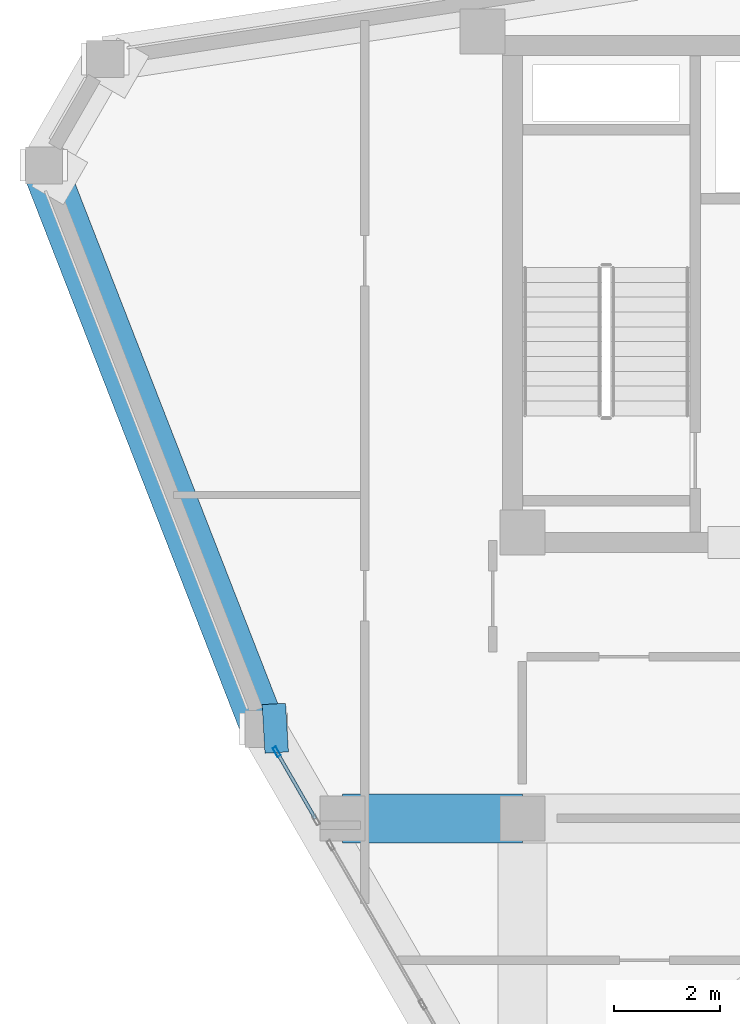
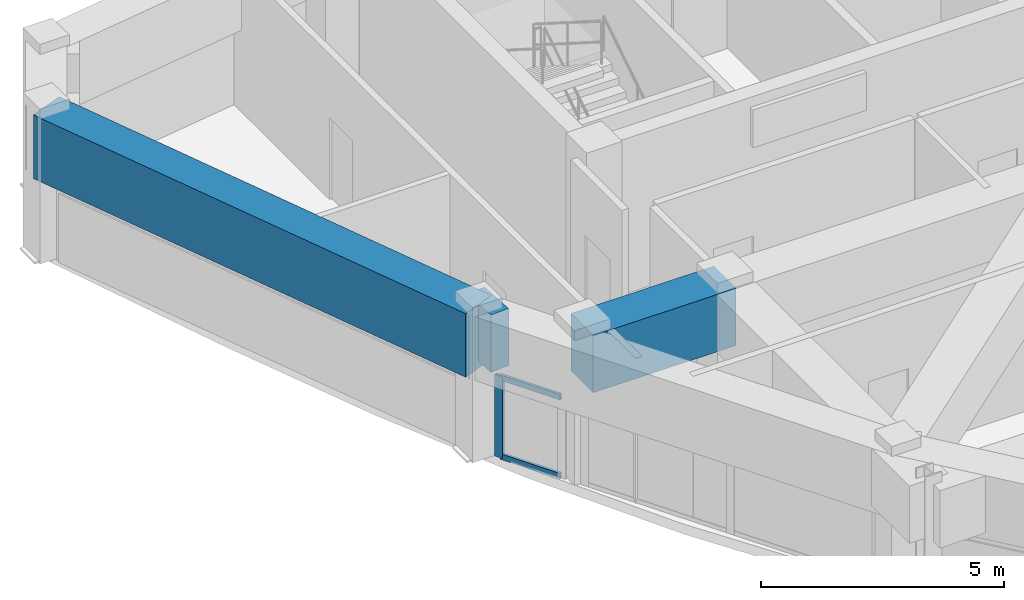
# One storey, part 5 of 13: 3 beams, 3 members, 1 element without a shape of its own.
"""IFC4 building model written with IfcOpenShell, lengths in metres."""

from ifc_helpers import new_model, si_unit, derived_unit, direction, frame, origin, origin_2d, place, context, subcontext, project, spatial, rectangle, hollow_rectangle, extrude, source, transform, mapped, material, layer, layer_set, material_profile, profile_set, type_object, element, aggregate, save


model = new_model("IFC4")

# Units and contexts
model_context = context("Model", 3, precision=1e-05, world=origin(), true_north=direction((0.0, 1.0)))
body_context = subcontext(model_context, "Body", "Model", "MODEL_VIEW")
ifc_project = project(units=[si_unit("LENGTHUNIT", "METRE"), si_unit("AREAUNIT", "SQUARE_METRE"), si_unit("VOLUMEUNIT", "CUBIC_METRE"), si_unit("PLANEANGLEUNIT", "RADIAN"), si_unit("MASSUNIT", "GRAM", prefix="KILO"), derived_unit("THERMALTRANSMITTANCEUNIT", [(si_unit("POWERUNIT", "WATT"), 1), (si_unit("LENGTHUNIT", "METRE"), -2), (si_unit("THERMODYNAMICTEMPERATUREUNIT", "KELVIN"), -1)])], contexts=[model_context])

# Site, building, storey
site_placement = place(None, origin())
site = spatial("IfcSite", under=ifc_project, at=site_placement, CompositionType="ELEMENT")
building_placement = place(site_placement, origin())
building = spatial("IfcBuilding", under=site, at=building_placement, Name="Korsvarv Bourse and Concert Hall", CompositionType="ELEMENT")
storey_placement = place(building_placement, frame((0.0, 0.0, 292.199951171875)))
storey = spatial("IfcBuildingStorey", under=building, at=storey_placement, Name="L76", CompositionType="ELEMENT", Elevation=292.199951171875)

# Beams
ifc_material_1 = material(Name="Concrete C50/60", Category="concrete")
ifc_material_profile_1 = material_profile(ifc_material_1, rectangle(XDim=0.919921875, YDim=1.43994140625, at=origin_2d()), Name="RC-BM 920x1440")
ifc_profile_set_1 = profile_set([ifc_material_profile_1], Name="Concrete C50/60")
beam_type_1 = type_object("IfcBeamType", Name="BM-TR-144", PredefinedType="BEAM", material=ifc_profile_set_1)
shared_shape_1 = source(origin(), body_context, "Body", "SweptSolid", [
    extrude(rectangle(XDim=0.919921875, YDim=1.43994140625, at=origin_2d()), origin(), (0.0, 0.0, 1.0), 3.400146484375),
])
beam_1_placement = place(storey_placement, frame((24.199951171875, 32.39990234375, 2.929931640625), z_axis=(1.0, 0.0, 0.0), x_axis=(0.0, 1.0, 0.0)))
element("IfcBeam", 1, at=beam_1_placement, inside=storey, type_object=beam_type_1, Name="L76 beam B-TR4", PredefinedType="BEAM", context=body_context, shape_type="MappedRepresentation", body=[
    mapped(shared_shape_1, transform((0.0, 0.0, 0.0), scale=1.0)),
])
ifc_material_2 = material(Name="Concrete C55/67", Category="concrete")
ifc_material_profile_2 = material_profile(ifc_material_2, rectangle(XDim=0.85009765625, YDim=1.60009765625, at=origin_2d()), Name="RC-BM 850x1600")
ifc_profile_set_2 = profile_set([ifc_material_profile_2], Name="Concrete C55/67")
beam_type_2 = type_object("IfcBeamType", Name="BM-TR1B", PredefinedType="BEAM", material=ifc_profile_set_2)
shared_shape_2 = source(origin(), body_context, "Body", "SweptSolid", [
    extrude(rectangle(XDim=0.85009765625, YDim=1.60009765625, at=origin_2d()), origin(), (0.0, 0.0, 1.0), 11.417236328125),
])
beam_2_placement = place(storey_placement, frame((18.56689453125, 44.727294921875, 2.85009765625), z_axis=(0.363158178648, -0.931727501623, 0.0), x_axis=(0.931727501623, 0.363158178648, 0.0)))
element("IfcBeam", 2, at=beam_2_placement, inside=storey, type_object=beam_type_2, Name="L76 beam B-TR2", PredefinedType="BEAM", context=body_context, shape_type="MappedRepresentation", body=[
    mapped(shared_shape_2, transform((0.0, 0.0, 0.0), scale=1.0)),
])
shared_shape_3 = source(origin(), body_context, "Body", "SweptSolid", [
    extrude(rectangle(XDim=0.919921875, YDim=1.43994140625, at=origin_2d()), origin(), (0.0, 0.0, 1.0), 0.444091796875),
])
beam_3_placement = place(storey_placement, frame((22.713134765625, 34.089599609375, 2.929931640625), z_axis=(0.998300809683, 0.058270862239, 0.0), x_axis=(-0.058270862239, 0.998300809683, 0.0)))
element("IfcBeam", 3, at=beam_3_placement, inside=storey, type_object=beam_type_1, Name="L76 beam B-TR4", PredefinedType="BEAM", context=body_context, shape_type="MappedRepresentation", body=[
    mapped(shared_shape_3, transform((0.0, 0.0, 0.0), scale=1.0)),
])

# Curtain wall, members
ifc_material_3 = material(Name="Anodised aluminium and triple low-E glazing", Category="glass")
ifc_layer = layer(ifc_material_3, 0.22998046875)
ifc_layer_set = layer_set([ifc_layer], Name="Anodised aluminium and triple low-E glazing")
curtain_wall_type = type_object("IfcCurtainWallType", Name="CW-SYS-6", PredefinedType="NOTDEFINED", material=ifc_layer_set)
curtain_wall_placement = place(storey_placement, origin())
curtain_wall = element("IfcCurtainWall", 4, at=curtain_wall_placement, inside=storey, type_object=curtain_wall_type, Name="L76 CW6 curtain wall CW-L76-CRN07-1", PredefinedType="NOTDEFINED")
ifc_material_4 = material(Name="Extruded aluminium EN AW-6063 T66", Category="aluminium")
ifc_material_profile_3 = material_profile(ifc_material_4, hollow_rectangle(XDim=0.070068359375, YDim=0.18994140625, WallThickness=0.0048828125, at=origin_2d()), Name="ALU-M 70x190")
ifc_profile_set_3 = profile_set([ifc_material_profile_3], Name="Extruded aluminium EN AW-6063 T66")
member_type_1 = type_object("IfcMemberType", Name="CWM-190", PredefinedType="MULLION", material=ifc_profile_set_3)
shared_shape_4 = source(origin(), body_context, "Body", "SweptSolid", [
    extrude(hollow_rectangle(XDim=0.070068359375, YDim=0.18994140625, WallThickness=0.0048828125, at=origin_2d()), origin(), (0.0, 0.0, 1.0), 2.050048828125),
])
member_1_placement = place(storey_placement, frame((22.961669921875, 33.659423828125, 0.0), z_axis=(0.0, 0.0, 1.0), x_axis=(0.866016043039, 0.500016212936, 0.0)))
member_1 = element("IfcMember", 5, at=member_1_placement, type_object=member_type_1, Name="CW6 mullion 1", PredefinedType="MULLION", context=body_context, shape_type="MappedRepresentation", body=[
    mapped(shared_shape_4, transform((0.0, 0.0, 0.0), scale=1.0)),
])
ifc_material_profile_4 = material_profile(ifc_material_4, hollow_rectangle(XDim=0.06494140625, YDim=0.139892578125, WallThickness=0.00390625, at=origin_2d()), Name="ALU-T 65x140")
ifc_profile_set_4 = profile_set([ifc_material_profile_4], Name="Extruded aluminium EN AW-6063 T66")
member_type_2 = type_object("IfcMemberType", Name="CWT-140", PredefinedType="USERDEFINED", material=ifc_profile_set_4)
shared_shape_5 = source(origin(), body_context, "Body", "SweptSolid", [
    extrude(hollow_rectangle(XDim=0.06494140625, YDim=0.139892578125, WallThickness=0.00390625, at=origin_2d()), origin(), (0.0, 0.0, 1.0), 1.421875),
])
member_2_placement = place(storey_placement, frame((22.97900390625, 33.629150390625, 0.032470703125), z_axis=(0.499980071345, -0.866036909293, 0.0), x_axis=(0.866036909293, 0.499980071345, 0.0)))
member_2 = element("IfcMember", 6, at=member_2_placement, type_object=member_type_2, Name="CW6 transom 1.1", ObjectType="TRANSOM", PredefinedType="USERDEFINED", context=body_context, shape_type="MappedRepresentation", body=[
    mapped(shared_shape_5, transform((0.0, 0.0, 0.0), scale=1.0)),
])
member_3_placement = place(storey_placement, frame((22.97900390625, 33.629150390625, 2.017578125), z_axis=(0.499980071345, -0.866036909293, 0.0), x_axis=(0.866036909293, 0.499980071345, 0.0)))
member_3 = element("IfcMember", 7, at=member_3_placement, type_object=member_type_2, Name="CW6 transom 1.2", ObjectType="TRANSOM", PredefinedType="USERDEFINED", context=body_context, shape_type="MappedRepresentation", body=[
    mapped(shared_shape_5, transform((0.0, 0.0, 0.0), scale=1.0)),
])
aggregate(curtain_wall, [member_1, member_2, member_3])

save(model, "model.ifc")
